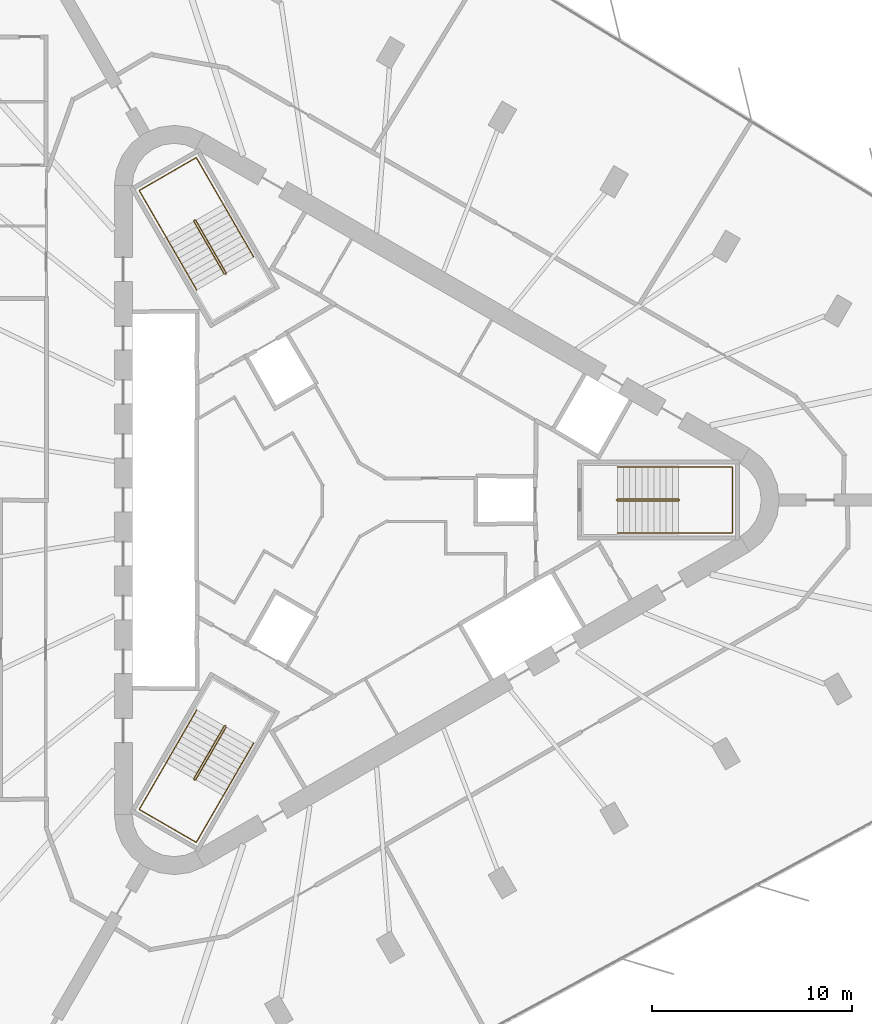
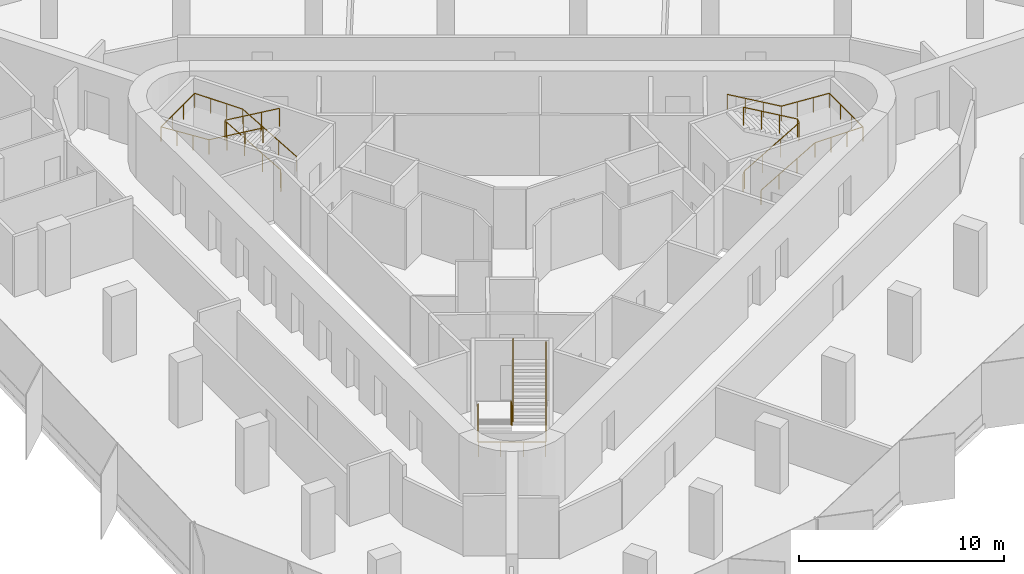
# One storey, part 13 of 13: 6 railings.
"""IFC4 building model written with IfcOpenShell, lengths in metres."""

from ifc_helpers import new_model, si_unit, direction, frame, origin, origin_2d, place, context, subcontext, project, spatial, circle, extrude, material, type_object, element, save


model = new_model("IFC4")

# Units and contexts
model_context = context("Model", 3, precision=1e-05, world=origin(), true_north=direction((0.0, 1.0)))
body_context = subcontext(model_context, "Body", "Model", "MODEL_VIEW")
ifc_project = project(units=[si_unit("LENGTHUNIT", "METRE"), si_unit("AREAUNIT", "SQUARE_METRE"), si_unit("VOLUMEUNIT", "CUBIC_METRE"), si_unit("PLANEANGLEUNIT", "RADIAN"), si_unit("MASSUNIT", "GRAM", prefix="KILO")], contexts=[model_context])

# Site, building, storey
site_placement = place(None, origin())
site = spatial("IfcSite", under=ifc_project, at=site_placement, CompositionType="ELEMENT")
building_placement = place(site_placement, origin())
building = spatial("IfcBuilding", under=site, at=building_placement, Name="Tanit Gate Tower", CompositionType="ELEMENT")
storey_placement = place(building_placement, frame((0.0, 0.0, 326.0)))
storey = spatial("IfcBuildingStorey", under=building, at=storey_placement, Name="L73", CompositionType="ELEMENT", Elevation=326.0)

# Railings
ifc_material_1 = material(Name="Stainless steel balustrade", Category="steel")
railing_type_1 = type_object("IfcRailingType", Name="INT-STAIR-GUARD", PredefinedType="GUARDRAIL", material=ifc_material_1)
railing_1_placement = place(storey_placement, frame((13.044921875, 0.0048828125, 0.0)))
element("IfcRailing", 1, at=railing_1_placement, inside=storey, type_object=railing_type_1, Name="L73 S1 stair guard 1", PredefinedType="GUARDRAIL", context=body_context, shape_type="SweptSolid", body=[
    extrude(circle(Radius=0.02392578125, at=origin_2d()), frame((0.0, 0.0, 1.076171875), z_axis=(0.0, -1.0, 0.0), x_axis=(1.0, 0.0, 0.0)), (0.0, 0.0, 1.0), 0.009765625),
    extrude(circle(Radius=0.02392578125, at=origin_2d()), frame((0.0, -0.009765625, 1.076171875), z_axis=(0.262233686654, -0.262233686654, 0.928691007369), x_axis=(0.707106781187, 0.707106781187, 0.0)), (0.0, 0.0, 1.0), 0.19091796875),
    extrude(circle(Radius=0.02392578125, at=origin_2d()), frame((0.050048828125, -0.059814453125, 1.25341796875), z_axis=(0.864648382064, 0.0, 0.502377522779), x_axis=(0.0, 1.0, 0.0)), (0.0, 0.0, 1.0), 3.528564453125),
    extrude(circle(Radius=0.02392578125, at=origin_2d()), frame((3.10107421875, -0.059814453125, 3.02587890625), z_axis=(0.707106781187, 0.707106781187, 0.0), x_axis=(-0.707106781187, 0.707106781187, 0.0)), (0.0, 0.0, 1.0), 0.07080078125),
    extrude(circle(Radius=0.02392578125, at=origin_2d()), frame((3.151123046875, -0.009765625, 3.02587890625), z_axis=(0.0, 1.0, 0.0), x_axis=(-1.0, 0.0, 0.0)), (0.0, 0.0, 1.0), 0.009765625),
    extrude(circle(Radius=0.02392578125, at=origin_2d()), frame((3.151123046875, 0.0, 3.02587890625), z_axis=(-0.262233686654, 0.262233686654, 0.928691007369), x_axis=(-0.707106781187, -0.707106781187, 0.0)), (0.0, 0.0, 1.0), 0.19091796875),
    extrude(circle(Radius=0.02392578125, at=origin_2d()), frame((3.10107421875, 0.050048828125, 3.203125), z_axis=(-0.864648382064, 0.0, 0.502377522779), x_axis=(0.0, -1.0, 0.0)), (0.0, 0.0, 1.0), 3.528564453125),
    extrude(circle(Radius=0.02099609375, at=origin_2d()), origin(), (0.0, 0.0, 1.0), 1.052001953125),
    extrude(circle(Radius=0.02099609375, at=origin_2d()), frame((0.0, -0.009765625, 0.0)), (0.0, 0.0, 1.0), 1.052001953125),
    extrude(circle(Radius=0.02099609375, at=origin_2d()), frame((0.050048828125, -0.059814453125, 0.17724609375)), (0.0, 0.0, 1.0), 1.052001953125),
    extrude(circle(Radius=0.02099609375, at=origin_2d()), frame((1.067138671875, -0.059814453125, 0.76806640625)), (0.0, 0.0, 1.0), 1.052001953125),
    extrude(circle(Radius=0.02099609375, at=origin_2d()), frame((2.083984375, -0.059814453125, 1.359130859375)), (0.0, 0.0, 1.0), 1.052001953125),
    extrude(circle(Radius=0.02099609375, at=origin_2d()), frame((3.10107421875, -0.059814453125, 1.949951171875)), (0.0, 0.0, 1.0), 1.052001953125),
    extrude(circle(Radius=0.02099609375, at=origin_2d()), frame((3.151123046875, -0.009765625, 1.949951171875)), (0.0, 0.0, 1.0), 1.052001953125),
    extrude(circle(Radius=0.02099609375, at=origin_2d()), frame((3.151123046875, 0.0, 1.949951171875)), (0.0, 0.0, 1.0), 1.052001953125),
    extrude(circle(Radius=0.02099609375, at=origin_2d()), frame((3.10107421875, 0.050048828125, 2.127197265625)), (0.0, 0.0, 1.0), 1.052001953125),
    extrude(circle(Radius=0.02099609375, at=origin_2d()), frame((2.083984375, 0.050048828125, 2.718017578125)), (0.0, 0.0, 1.0), 1.052001953125),
    extrude(circle(Radius=0.02099609375, at=origin_2d()), frame((1.067138671875, 0.050048828125, 3.30908203125)), (0.0, 0.0, 1.0), 1.052001953125),
    extrude(circle(Radius=0.02099609375, at=origin_2d()), frame((0.050048828125, 0.050048828125, 3.89990234375)), (0.0, 0.0, 1.0), 1.052001953125),
])
railing_2_placement = place(storey_placement, frame((-6.527099609375, 11.29345703125, 0.0)))
element("IfcRailing", 2, at=railing_2_placement, inside=storey, type_object=railing_type_1, Name="L73 S2 stair guard 1", PredefinedType="GUARDRAIL", context=body_context, shape_type="SweptSolid", body=[
    extrude(circle(Radius=0.02392578125, at=origin_2d()), frame((0.0, 0.0, 1.076171875), z_axis=(0.868243142124, 0.496138938357, 0.0), x_axis=(-0.496138938357, 0.868243142124, 0.0)), (0.0, 0.0, 1.0), 0.01171875),
    extrude(circle(Radius=0.02392578125, at=origin_2d()), frame((0.01025390625, 0.005859375, 1.076171875), z_axis=(0.095941116058, 0.358180166617, 0.928710003441), x_axis=(-0.965948051503, 0.258736085224, 0.0)), (0.0, 0.0, 1.0), 0.19091796875),
    extrude(circle(Radius=0.02392578125, at=origin_2d()), frame((0.028564453125, 0.07421875, 1.25341796875), z_axis=(-0.4322777601, 0.748681545756, 0.50260509465), x_axis=(-0.866012246495, -0.500022788402, 0.0)), (0.0, 0.0, 1.0), 3.527099609375),
    extrude(circle(Radius=0.02392578125, at=origin_2d()), frame((-1.49609375, 2.71484375, 3.02587890625), z_axis=(-0.965715946433, 0.259601060869, 0.0), x_axis=(-0.259601060869, -0.965715946433, 0.0)), (0.0, 0.0, 1.0), 0.070556640625),
    extrude(circle(Radius=0.02392578125, at=origin_2d()), frame((-1.564208984375, 2.733154296875, 3.02587890625), z_axis=(-0.873197702015, -0.487366159264, 0.0), x_axis=(0.487366159264, -0.873197702015, 0.0)), (0.0, 0.0, 1.0), 0.011962890625),
    extrude(circle(Radius=0.02392578125, at=origin_2d()), frame((-1.57470703125, 2.727294921875, 3.02587890625), z_axis=(-0.095941116058, -0.358180166617, 0.928710003441), x_axis=(0.965948051503, -0.258736085224, 0.0)), (0.0, 0.0, 1.0), 0.19091796875),
    extrude(circle(Radius=0.02392578125, at=origin_2d()), frame((-1.593017578125, 2.658935546875, 3.203125), z_axis=(0.4322777601, -0.748681545756, 0.50260509465), x_axis=(0.866012246495, 0.500022788402, 0.0)), (0.0, 0.0, 1.0), 3.527099609375),
    extrude(circle(Radius=0.02099609375, at=origin_2d()), origin(), (0.0, 0.0, 1.0), 1.052001953125),
    extrude(circle(Radius=0.02099609375, at=origin_2d()), frame((0.01025390625, 0.005859375, 0.0)), (0.0, 0.0, 1.0), 1.052001953125),
    extrude(circle(Radius=0.02099609375, at=origin_2d()), frame((0.028564453125, 0.07421875, 0.17724609375)), (0.0, 0.0, 1.0), 1.052001953125),
    extrude(circle(Radius=0.02099609375, at=origin_2d()), frame((-0.479736328125, 0.954345703125, 0.76806640625)), (0.0, 0.0, 1.0), 1.052001953125),
    extrude(circle(Radius=0.02099609375, at=origin_2d()), frame((-0.98779296875, 1.834716796875, 1.359130859375)), (0.0, 0.0, 1.0), 1.052001953125),
    extrude(circle(Radius=0.02099609375, at=origin_2d()), frame((-1.49609375, 2.71484375, 1.949951171875)), (0.0, 0.0, 1.0), 1.052001953125),
    extrude(circle(Radius=0.02099609375, at=origin_2d()), frame((-1.564208984375, 2.733154296875, 1.949951171875)), (0.0, 0.0, 1.0), 1.052001953125),
    extrude(circle(Radius=0.02099609375, at=origin_2d()), frame((-1.57470703125, 2.727294921875, 1.949951171875)), (0.0, 0.0, 1.0), 1.052001953125),
    extrude(circle(Radius=0.02099609375, at=origin_2d()), frame((-1.593017578125, 2.658935546875, 2.127197265625)), (0.0, 0.0, 1.0), 1.052001953125),
    extrude(circle(Radius=0.02099609375, at=origin_2d()), frame((-1.084716796875, 1.77880859375, 2.718017578125)), (0.0, 0.0, 1.0), 1.052001953125),
    extrude(circle(Radius=0.02099609375, at=origin_2d()), frame((-0.57666015625, 0.8984375, 3.30908203125)), (0.0, 0.0, 1.0), 1.052001953125),
    extrude(circle(Radius=0.02099609375, at=origin_2d()), frame((-0.068359375, 0.018310546875, 3.89990234375)), (0.0, 0.0, 1.0), 1.052001953125),
])
railing_3_placement = place(storey_placement, frame((-6.51806640625, -11.2998046875, 0.0)))
element("IfcRailing", 3, at=railing_3_placement, inside=storey, type_object=railing_type_1, Name="L73 S3 stair guard 1", PredefinedType="GUARDRAIL", context=body_context, shape_type="SweptSolid", body=[
    extrude(circle(Radius=0.02392578125, at=origin_2d()), frame((0.0, 0.0, 1.076171875), z_axis=(-0.874157276122, 0.485642931179, 0.0), x_axis=(-0.485642931179, -0.874157276122, 0.0)), (0.0, 0.0, 1.0), 0.010009765625),
    extrude(circle(Radius=0.02392578125, at=origin_2d()), frame((-0.0087890625, 0.0048828125, 1.076171875), z_axis=(-0.358223840744, -0.094673443625, 0.928823244215), x_axis=(0.255512919477, -0.966805641264, 0.0)), (0.0, 0.0, 1.0), 0.19091796875),
    extrude(circle(Radius=0.02392578125, at=origin_2d()), frame((-0.0771484375, -0.01318359375, 1.25341796875), z_axis=(-0.432289778901, -0.748827189027, 0.502377734411), x_axis=(0.866048339477, -0.499960272111, 0.0)), (0.0, 0.0, 1.0), 3.528564453125),
    extrude(circle(Radius=0.02392578125, at=origin_2d()), frame((-1.6025390625, -2.655517578125, 3.02587890625), z_axis=(0.258736085224, -0.965948051503, 0.0), x_axis=(0.965948051503, 0.258736085224, 0.0)), (0.0, 0.0, 1.0), 0.07080078125),
    extrude(circle(Radius=0.02392578125, at=origin_2d()), frame((-1.584228515625, -2.723876953125, 3.02587890625), z_axis=(0.868243142124, -0.496138938357, 0.0), x_axis=(0.496138938357, 0.868243142124, 0.0)), (0.0, 0.0, 1.0), 0.009765625),
    extrude(circle(Radius=0.02392578125, at=origin_2d()), frame((-1.57568359375, -2.728759765625, 3.02587890625), z_axis=(0.358180166617, 0.095941116058, 0.928710003441), x_axis=(-0.258736085224, 0.965948051503, 0.0)), (0.0, 0.0, 1.0), 0.19091796875),
    extrude(circle(Radius=0.02392578125, at=origin_2d()), frame((-1.50732421875, -2.71044921875, 3.203125), z_axis=(0.432368434633, 0.748774395838, 0.502388734816), x_axis=(-0.865993683553, 0.500054937028, 0.0)), (0.0, 0.0, 1.0), 3.528564453125),
    extrude(circle(Radius=0.02099609375, at=origin_2d()), origin(), (0.0, 0.0, 1.0), 1.052001953125),
    extrude(circle(Radius=0.02099609375, at=origin_2d()), frame((-0.0087890625, 0.0048828125, 0.0)), (0.0, 0.0, 1.0), 1.052001953125),
    extrude(circle(Radius=0.02099609375, at=origin_2d()), frame((-0.0771484375, -0.01318359375, 0.17724609375)), (0.0, 0.0, 1.0), 1.052001953125),
    extrude(circle(Radius=0.02099609375, at=origin_2d()), frame((-0.585693359375, -0.89404296875, 0.76806640625)), (0.0, 0.0, 1.0), 1.052001953125),
    extrude(circle(Radius=0.02099609375, at=origin_2d()), frame((-1.093994140625, -1.774658203125, 1.359130859375)), (0.0, 0.0, 1.0), 1.052001953125),
    extrude(circle(Radius=0.02099609375, at=origin_2d()), frame((-1.6025390625, -2.655517578125, 1.949951171875)), (0.0, 0.0, 1.0), 1.052001953125),
    extrude(circle(Radius=0.02099609375, at=origin_2d()), frame((-1.584228515625, -2.723876953125, 1.949951171875)), (0.0, 0.0, 1.0), 1.052001953125),
    extrude(circle(Radius=0.02099609375, at=origin_2d()), frame((-1.57568359375, -2.728759765625, 1.949951171875)), (0.0, 0.0, 1.0), 1.052001953125),
    extrude(circle(Radius=0.02099609375, at=origin_2d()), frame((-1.50732421875, -2.71044921875, 2.127197265625)), (0.0, 0.0, 1.0), 1.052001953125),
    extrude(circle(Radius=0.02099609375, at=origin_2d()), frame((-0.998779296875, -1.829833984375, 2.718017578125)), (0.0, 0.0, 1.0), 1.052001953125),
    extrude(circle(Radius=0.02099609375, at=origin_2d()), frame((-0.490234375, -0.948974609375, 3.30908203125)), (0.0, 0.0, 1.0), 1.052001953125),
    extrude(circle(Radius=0.02099609375, at=origin_2d()), frame((0.018310546875, -0.068359375, 3.89990234375)), (0.0, 0.0, 1.0), 1.052001953125),
])
ifc_material_2 = material(Name="Stainless steel handrail", Category="steel")
railing_type_2 = type_object("IfcRailingType", Name="INT-STAIR-HANDRAIL", PredefinedType="HANDRAIL", material=ifc_material_2)
railing_4_placement = place(storey_placement, frame((13.094970703125, -1.64990234375, 0.17724609375)))
element("IfcRailing", 4, at=railing_4_placement, inside=storey, type_object=railing_type_2, Name="L73 S1 stair handrail 1", PredefinedType="HANDRAIL", context=body_context, shape_type="SweptSolid", body=[
    extrude(circle(Radius=0.02392578125, at=origin_2d()), frame((0.0, 0.0, 0.8759765625), z_axis=(0.864648382064, 0.0, 0.502377522779), x_axis=(0.0, 1.0, 0.0)), (0.0, 0.0, 1.0), 3.528564453125),
    extrude(circle(Radius=0.02392578125, at=origin_2d()), frame((3.051025390625, 0.0, 2.6484375), z_axis=(1.0, 0.0, 0.0), x_axis=(0.0, 1.0, 0.0)), (0.0, 0.0, 1.0), 2.7041015625),
    extrude(circle(Radius=0.02392578125, at=origin_2d()), frame((5.755126953125, 0.0, 2.6484375), z_axis=(0.0, 1.0, 0.0), x_axis=(-1.0, 0.0, 0.0)), (0.0, 0.0, 1.0), 3.2998046875),
    extrude(circle(Radius=0.02392578125, at=origin_2d()), frame((5.755126953125, 3.2998046875, 2.6484375), z_axis=(-0.997858684482, 0.0, 0.065406771843), x_axis=(0.0, -1.0, 0.0)), (0.0, 0.0, 1.0), 2.7099609375),
    extrude(circle(Radius=0.02392578125, at=origin_2d()), frame((3.051025390625, 3.2998046875, 2.82568359375), z_axis=(-0.864648382064, 0.0, 0.502377522779), x_axis=(0.0, -1.0, 0.0)), (0.0, 0.0, 1.0), 3.528564453125),
    extrude(circle(Radius=0.02099609375, at=origin_2d()), origin(), (0.0, 0.0, 1.0), 0.851806640625),
    extrude(circle(Radius=0.02099609375, at=origin_2d()), frame((1.01708984375, 0.0, 0.5908203125)), (0.0, 0.0, 1.0), 0.851806640625),
    extrude(circle(Radius=0.02099609375, at=origin_2d()), frame((2.033935546875, 0.0, 1.181884765625)), (0.0, 0.0, 1.0), 0.851806640625),
    extrude(circle(Radius=0.02099609375, at=origin_2d()), frame((3.051025390625, 0.0, 1.772705078125)), (0.0, 0.0, 1.0), 0.851806640625),
    extrude(circle(Radius=0.02099609375, at=origin_2d()), frame((3.952392578125, 0.0, 1.772705078125)), (0.0, 0.0, 1.0), 0.851806640625),
    extrude(circle(Radius=0.02099609375, at=origin_2d()), frame((4.853759765625, 0.0, 1.772705078125)), (0.0, 0.0, 1.0), 0.851806640625),
    extrude(circle(Radius=0.02099609375, at=origin_2d()), frame((5.755126953125, 0.0, 1.772705078125)), (0.0, 0.0, 1.0), 0.851806640625),
    extrude(circle(Radius=0.02099609375, at=origin_2d()), frame((5.755126953125, 1.099853515625, 1.772705078125)), (0.0, 0.0, 1.0), 0.851806640625),
    extrude(circle(Radius=0.02099609375, at=origin_2d()), frame((5.755126953125, 2.199951171875, 1.772705078125)), (0.0, 0.0, 1.0), 0.851806640625),
    extrude(circle(Radius=0.02099609375, at=origin_2d()), frame((5.755126953125, 3.2998046875, 1.772705078125)), (0.0, 0.0, 1.0), 0.851806640625),
    extrude(circle(Radius=0.02099609375, at=origin_2d()), frame((4.853759765625, 3.2998046875, 1.831787109375)), (0.0, 0.0, 1.0), 0.851806640625),
    extrude(circle(Radius=0.02099609375, at=origin_2d()), frame((3.952392578125, 3.2998046875, 1.890869140625)), (0.0, 0.0, 1.0), 0.851806640625),
    extrude(circle(Radius=0.02099609375, at=origin_2d()), frame((3.051025390625, 3.2998046875, 1.949951171875)), (0.0, 0.0, 1.0), 0.851806640625),
    extrude(circle(Radius=0.02099609375, at=origin_2d()), frame((2.033935546875, 3.2998046875, 2.540771484375)), (0.0, 0.0, 1.0), 0.851806640625),
    extrude(circle(Radius=0.02099609375, at=origin_2d()), frame((1.01708984375, 3.2998046875, 3.1318359375)), (0.0, 0.0, 1.0), 0.851806640625),
    extrude(circle(Radius=0.02099609375, at=origin_2d()), frame((0.0, 3.2998046875, 3.72265625)), (0.0, 0.0, 1.0), 0.851806640625),
])
railing_5_placement = place(storey_placement, frame((-5.1181640625, 12.164794921875, 0.17724609375)))
element("IfcRailing", 5, at=railing_5_placement, inside=storey, type_object=railing_type_2, Name="L73 S2 stair handrail 1", PredefinedType="HANDRAIL", context=body_context, shape_type="SweptSolid", body=[
    extrude(circle(Radius=0.02392578125, at=origin_2d()), frame((0.0, 0.0, 0.8759765625), z_axis=(-0.432221472453, 0.748703947157, 0.502620133164), x_axis=(-0.866046917185, -0.499962735845, 0.0)), (0.0, 0.0, 1.0), 3.52685546875),
    extrude(circle(Radius=0.02392578125, at=origin_2d()), frame((-1.5244140625, 2.640625, 2.6484375), z_axis=(-0.500019123664, 0.86601436245, 0.0), x_axis=(-0.86601436245, -0.500019123664, 0.0)), (0.0, 0.0, 1.0), 2.70703125),
    extrude(circle(Radius=0.02392578125, at=origin_2d()), frame((-2.8779296875, 4.98486328125, 2.6484375), z_axis=(-0.866008176907, -0.50002983664, 0.0), x_axis=(0.50002983664, -0.866008176907, 0.0)), (0.0, 0.0, 1.0), 3.300048828125),
    extrude(circle(Radius=0.02392578125, at=origin_2d()), frame((-5.73583984375, 3.334716796875, 2.6484375), z_axis=(0.498989459885, -0.864141018102, 0.065343857842), x_axis=(0.865991810323, 0.500058181068, 0.0)), (0.0, 0.0, 1.0), 2.71240234375),
    extrude(circle(Radius=0.02392578125, at=origin_2d()), frame((-4.38232421875, 0.99072265625, 2.82568359375), z_axis=(0.432255358616, -0.748711963836, 0.502579048665), x_axis=(0.866032263162, 0.499988119021, 0.0)), (0.0, 0.0, 1.0), 3.527099609375),
    extrude(circle(Radius=0.02099609375, at=origin_2d()), origin(), (0.0, 0.0, 1.0), 0.851806640625),
    extrude(circle(Radius=0.02099609375, at=origin_2d()), frame((-0.508056640625, 0.880126953125, 0.5908203125)), (0.0, 0.0, 1.0), 0.851806640625),
    extrude(circle(Radius=0.02099609375, at=origin_2d()), frame((-1.016357421875, 1.760498046875, 1.181884765625)), (0.0, 0.0, 1.0), 0.851806640625),
    extrude(circle(Radius=0.02099609375, at=origin_2d()), frame((-1.5244140625, 2.640625, 1.772705078125)), (0.0, 0.0, 1.0), 0.851806640625),
    extrude(circle(Radius=0.02099609375, at=origin_2d()), frame((-1.9755859375, 3.422119140625, 1.772705078125)), (0.0, 0.0, 1.0), 0.851806640625),
    extrude(circle(Radius=0.02099609375, at=origin_2d()), frame((-2.4267578125, 4.203369140625, 1.772705078125)), (0.0, 0.0, 1.0), 0.851806640625),
    extrude(circle(Radius=0.02099609375, at=origin_2d()), frame((-2.8779296875, 4.98486328125, 1.772705078125)), (0.0, 0.0, 1.0), 0.851806640625),
    extrude(circle(Radius=0.02099609375, at=origin_2d()), frame((-3.83056640625, 4.434814453125, 1.772705078125)), (0.0, 0.0, 1.0), 0.851806640625),
    extrude(circle(Radius=0.02099609375, at=origin_2d()), frame((-4.783203125, 3.884765625, 1.772705078125)), (0.0, 0.0, 1.0), 0.851806640625),
    extrude(circle(Radius=0.02099609375, at=origin_2d()), frame((-5.73583984375, 3.334716796875, 1.772705078125)), (0.0, 0.0, 1.0), 0.851806640625),
    extrude(circle(Radius=0.02099609375, at=origin_2d()), frame((-5.28466796875, 2.553466796875, 1.831787109375)), (0.0, 0.0, 1.0), 0.851806640625),
    extrude(circle(Radius=0.02099609375, at=origin_2d()), frame((-4.83349609375, 1.77197265625, 1.890869140625)), (0.0, 0.0, 1.0), 0.851806640625),
    extrude(circle(Radius=0.02099609375, at=origin_2d()), frame((-4.38232421875, 0.99072265625, 1.949951171875)), (0.0, 0.0, 1.0), 0.851806640625),
    extrude(circle(Radius=0.02099609375, at=origin_2d()), frame((-3.8740234375, 0.1103515625, 2.540771484375)), (0.0, 0.0, 1.0), 0.851806640625),
    extrude(circle(Radius=0.02099609375, at=origin_2d()), frame((-3.365966796875, -0.769775390625, 3.1318359375)), (0.0, 0.0, 1.0), 0.851806640625),
    extrude(circle(Radius=0.02099609375, at=origin_2d()), frame((-2.857666015625, -1.650146484375, 3.72265625)), (0.0, 0.0, 1.0), 0.851806640625),
])
railing_6_placement = place(storey_placement, frame((-7.9765625, -10.515625, 0.17724609375)))
element("IfcRailing", 6, at=railing_6_placement, inside=storey, type_object=railing_type_2, Name="L73 S3 stair handrail 1", PredefinedType="HANDRAIL", context=body_context, shape_type="SweptSolid", body=[
    extrude(circle(Radius=0.02392578125, at=origin_2d()), frame((0.0, 0.0, 0.8759765625), z_axis=(-0.432289778901, -0.748827189027, 0.502377734411), x_axis=(0.866048339477, -0.499960272111, 0.0)), (0.0, 0.0, 1.0), 3.528564453125),
    extrude(circle(Radius=0.02392578125, at=origin_2d()), frame((-1.525390625, -2.642333984375, 2.6484375), z_axis=(-0.50004290449, -0.866000631449, 0.0), x_axis=(0.866000631449, -0.50004290449, 0.0)), (0.0, 0.0, 1.0), 2.703857421875),
    extrude(circle(Radius=0.02392578125, at=origin_2d()), frame((-2.87744140625, -4.98388671875, 2.6484375), z_axis=(0.866008176907, -0.50002983664, 0.0), x_axis=(0.50002983664, 0.866008176907, 0.0)), (0.0, 0.0, 1.0), 3.300048828125),
    extrude(circle(Radius=0.02392578125, at=origin_2d()), frame((-0.01953125, -6.634033203125, 2.6484375), z_axis=(0.498933124603, 0.864168748861, 0.065407267689), x_axis=(-0.866023205937, 0.500003806764, 0.0)), (0.0, 0.0, 1.0), 2.7099609375),
    extrude(circle(Radius=0.02392578125, at=origin_2d()), frame((1.33251953125, -4.292236328125, 2.82568359375), z_axis=(0.432289778901, 0.748827189027, 0.502377734411), x_axis=(-0.866048339477, 0.499960272111, 0.0)), (0.0, 0.0, 1.0), 3.528564453125),
    extrude(circle(Radius=0.02099609375, at=origin_2d()), origin(), (0.0, 0.0, 1.0), 0.851806640625),
    extrude(circle(Radius=0.02099609375, at=origin_2d()), frame((-0.508544921875, -0.880859375, 0.5908203125)), (0.0, 0.0, 1.0), 0.851806640625),
    extrude(circle(Radius=0.02099609375, at=origin_2d()), frame((-1.016845703125, -1.761474609375, 1.181884765625)), (0.0, 0.0, 1.0), 0.851806640625),
    extrude(circle(Radius=0.02099609375, at=origin_2d()), frame((-1.525390625, -2.642333984375, 1.772705078125)), (0.0, 0.0, 1.0), 0.851806640625),
    extrude(circle(Radius=0.02099609375, at=origin_2d()), frame((-1.97607421875, -3.4228515625, 1.772705078125)), (0.0, 0.0, 1.0), 0.851806640625),
    extrude(circle(Radius=0.02099609375, at=origin_2d()), frame((-2.4267578125, -4.203369140625, 1.772705078125)), (0.0, 0.0, 1.0), 0.851806640625),
    extrude(circle(Radius=0.02099609375, at=origin_2d()), frame((-2.87744140625, -4.98388671875, 1.772705078125)), (0.0, 0.0, 1.0), 0.851806640625),
    extrude(circle(Radius=0.02099609375, at=origin_2d()), frame((-1.9248046875, -5.533935546875, 1.772705078125)), (0.0, 0.0, 1.0), 0.851806640625),
    extrude(circle(Radius=0.02099609375, at=origin_2d()), frame((-0.97216796875, -6.083984375, 1.772705078125)), (0.0, 0.0, 1.0), 0.851806640625),
    extrude(circle(Radius=0.02099609375, at=origin_2d()), frame((-0.01953125, -6.634033203125, 1.772705078125)), (0.0, 0.0, 1.0), 0.851806640625),
    extrude(circle(Radius=0.02099609375, at=origin_2d()), frame((0.43115234375, -5.853515625, 1.831787109375)), (0.0, 0.0, 1.0), 0.851806640625),
    extrude(circle(Radius=0.02099609375, at=origin_2d()), frame((0.8818359375, -5.07275390625, 1.890869140625)), (0.0, 0.0, 1.0), 0.851806640625),
    extrude(circle(Radius=0.02099609375, at=origin_2d()), frame((1.33251953125, -4.292236328125, 1.949951171875)), (0.0, 0.0, 1.0), 0.851806640625),
    extrude(circle(Radius=0.02099609375, at=origin_2d()), frame((1.841064453125, -3.411376953125, 2.540771484375)), (0.0, 0.0, 1.0), 0.851806640625),
    extrude(circle(Radius=0.02099609375, at=origin_2d()), frame((2.349365234375, -2.53076171875, 3.1318359375)), (0.0, 0.0, 1.0), 0.851806640625),
    extrude(circle(Radius=0.02099609375, at=origin_2d()), frame((2.85791015625, -1.64990234375, 3.72265625)), (0.0, 0.0, 1.0), 0.851806640625),
])

save(model, "model.ifc")
